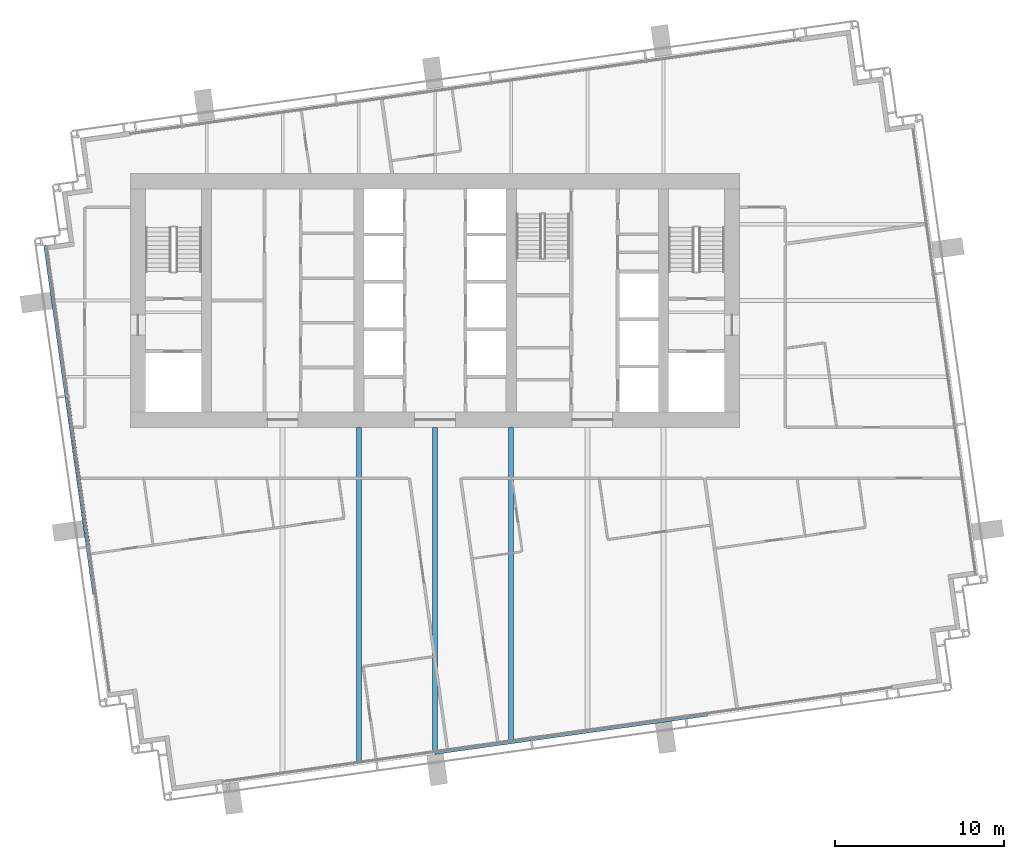
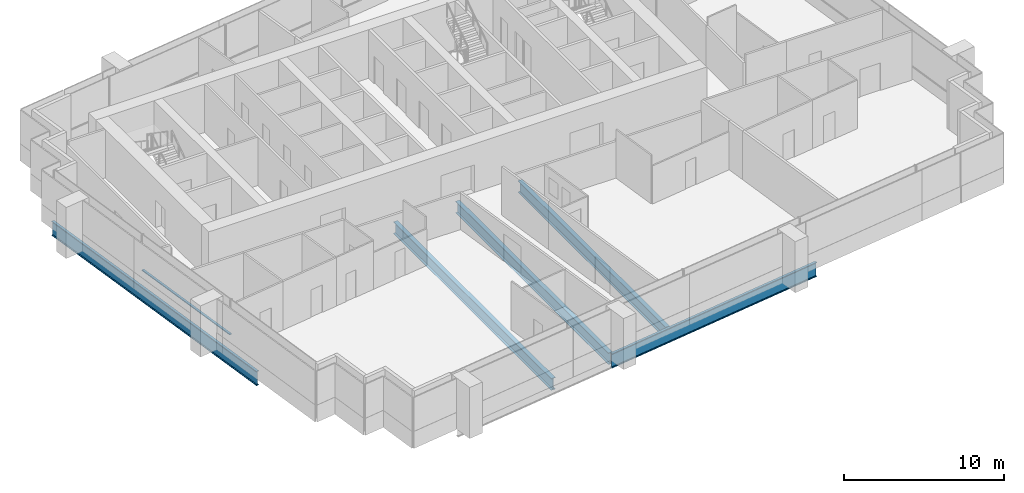
# One storey, part 3 of 18: 5 beams, 1 member, 1 element without a shape of its own.
"""IFC4 building model written with IfcOpenShell, lengths in metres."""

from ifc_helpers import new_model, si_unit, direction, frame, origin, origin_2d, place, context, subcontext, project, spatial, rectangle, i_section, extrude, material, layer, layer_set, material_profile, profile_set, type_object, element, aggregate, save


model = new_model("IFC4")

# Units and contexts
model_context = context("Model", 3, precision=1e-05, world=origin(), true_north=direction((0.0, 1.0)))
body_context = subcontext(model_context, "Body", "Model", "MODEL_VIEW")
ifc_project = project(units=[si_unit("LENGTHUNIT", "METRE"), si_unit("AREAUNIT", "SQUARE_METRE"), si_unit("VOLUMEUNIT", "CUBIC_METRE"), si_unit("PLANEANGLEUNIT", "RADIAN"), si_unit("MASSUNIT", "GRAM", prefix="KILO")], contexts=[model_context])

# Site, building, storey
site_placement = place(None, origin())
site = spatial("IfcSite", under=ifc_project, at=site_placement, CompositionType="ELEMENT")
building_placement = place(site_placement, origin())
building = spatial("IfcBuilding", under=site, at=building_placement, Name="Rattan Terrace Tower", CompositionType="ELEMENT")
storey_placement = place(building_placement, frame((0.0, 0.0, 233.0)))
storey = spatial("IfcBuildingStorey", under=building, at=storey_placement, Name="L53", CompositionType="ELEMENT", Elevation=233.0)

# Beams
ifc_material_1 = material(Name="Steel S460", Category="steel")
ifc_material_profile_1 = material_profile(ifc_material_1, i_section(OverallWidth=0.179931640625, OverallDepth=1.10009765625, WebThickness=0.01611328125, FlangeThickness=0.050048828125, at=origin_2d()), Name="PG 1100x180-16-50")
ifc_profile_set_1 = profile_set([ifc_material_profile_1], Name="Steel S460")
beam_type_1 = type_object("IfcBeamType", Name="Frame edge girder PG 1100x180-16-50", PredefinedType="SPANDREL", material=ifc_profile_set_1)
beam_1_placement = place(storey_placement, frame((16.0859375, -24.472900390625, -0.75), z_axis=(-0.990262693422, -0.139211342989, 0.0), x_axis=(0.139211342989, -0.990262693422, 0.0)))
element("IfcBeam", 1, at=beam_1_placement, inside=storey, type_object=beam_type_1, Name="gdr-L53-002", PredefinedType="SPANDREL", context=body_context, shape_type="SweptSolid", body=[
    extrude(i_section(OverallWidth=0.179931640625, OverallDepth=1.10009765625, WebThickness=0.01611328125, FlangeThickness=0.050048828125, at=origin_2d()), origin(), (0.0, 0.0, 1.0), 16.257080078125),
])
beam_2_placement = place(storey_placement, frame((-20.14111328125, -17.347900390625, -0.75), z_axis=(-0.139141602152, 0.9902724951, 0.0), x_axis=(-0.9902724951, -0.139141602152, 0.0)))
element("IfcBeam", 2, at=beam_2_placement, inside=storey, type_object=beam_type_1, Name="gdr-L53-003", PredefinedType="SPANDREL", context=body_context, shape_type="SweptSolid", body=[
    extrude(i_section(OverallWidth=0.179931640625, OverallDepth=1.10009765625, WebThickness=0.01611328125, FlangeThickness=0.050048828125, at=origin_2d()), origin(), (0.0, 0.0, 1.0), 20.813232421875),
])
ifc_material_2 = material(Name="Steel S355", Category="steel")
ifc_material_profile_2 = material_profile(ifc_material_2, i_section(OverallWidth=0.300048828125, OverallDepth=0.89990234375, WebThickness=0.0185546875, FlangeThickness=0.034912109375, FilletRadius=0.030029296875, at=origin_2d()), Name="HE 900 B")
ifc_profile_set_2 = profile_set([ifc_material_profile_2], Name="Steel S355")
beam_type_2 = type_object("IfcBeamType", Name="Frame floor beam HE 900 B", PredefinedType="JOIST", material=ifc_profile_set_2)
beam_3_placement = place(storey_placement, frame((4.5, -25.989990234375, -0.64990234375), z_axis=(0.0, 1.0, 0.0), x_axis=(-1.0, 0.0, 0.0)))
element("IfcBeam", 3, at=beam_3_placement, inside=storey, type_object=beam_type_2, Name="bm-L53-006", PredefinedType="JOIST", context=body_context, shape_type="SweptSolid", body=[
    extrude(i_section(OverallWidth=0.300048828125, OverallDepth=0.89990234375, WebThickness=0.0185546875, FlangeThickness=0.034912109375, FilletRadius=0.030029296875, at=origin_2d()), origin(), (0.0, 0.0, 1.0), 18.489990234375),
])
ifc_material_3 = material(Name="Steel S460", Category="steel")
ifc_material_profile_3 = material_profile(ifc_material_3, i_section(OverallWidth=0.300048828125, OverallDepth=0.89990234375, WebThickness=0.013916015625, FlangeThickness=0.035888671875, at=origin_2d()), Name="PG 900x300-14-36")
ifc_profile_set_3 = profile_set([ifc_material_profile_3], Name="Steel S460")
beam_type_3 = type_object("IfcBeamType", Name="Frame floor beam PG 900x300-14-36", PredefinedType="JOIST", material=ifc_profile_set_3)
beam_4_placement = place(storey_placement, frame((-4.5, -27.2548828125, -0.64990234375), z_axis=(0.0, 1.0, 0.0), x_axis=(-1.0, 0.0, 0.0)))
element("IfcBeam", 4, at=beam_4_placement, inside=storey, type_object=beam_type_3, Name="bm-L53-004", PredefinedType="JOIST", context=body_context, shape_type="SweptSolid", body=[
    extrude(i_section(OverallWidth=0.300048828125, OverallDepth=0.89990234375, WebThickness=0.013916015625, FlangeThickness=0.035888671875, at=origin_2d()), origin(), (0.0, 0.0, 1.0), 19.7548828125),
])
beam_5_placement = place(storey_placement, frame((0.0, -26.6220703125, -0.64990234375), z_axis=(0.0, 1.0, 0.0), x_axis=(-1.0, 0.0, 0.0)))
element("IfcBeam", 5, at=beam_5_placement, inside=storey, type_object=beam_type_3, Name="bm-L53-005", PredefinedType="JOIST", context=body_context, shape_type="SweptSolid", body=[
    extrude(i_section(OverallWidth=0.300048828125, OverallDepth=0.89990234375, WebThickness=0.013916015625, FlangeThickness=0.035888671875, at=origin_2d()), origin(), (0.0, 0.0, 1.0), 19.1220703125),
])

# Curtain wall, member
ifc_material_4 = material(Name="Aluminium and laminated glass", Category="aluminium")
ifc_layer = layer(ifc_material_4, 0.199951171875)
ifc_layer_set = layer_set([ifc_layer], Name="High-Zone Unitised Curtain Wall")
curtain_wall_type = type_object("IfcCurtainWallType", Name="High-Zone Unitised Curtain Wall", PredefinedType="NOTDEFINED", material=ifc_layer_set)
curtain_wall_placement = place(storey_placement, origin())
curtain_wall = element("IfcCurtainWall", 6, at=curtain_wall_placement, inside=storey, type_object=curtain_wall_type, Name="High-zone curtain wall L53-3", PredefinedType="NOTDEFINED")
ifc_material_5 = material(Name="Aluminium", Category="aluminium")
ifc_material_profile_4 = material_profile(ifc_material_5, rectangle(XDim=0.159912109375, YDim=0.070068359375, at=origin_2d()), Name="Aluminium 160x70")
ifc_profile_set_4 = profile_set([ifc_material_profile_4], Name="Aluminium")
member_type = type_object("IfcMemberType", Name="High-Zone CW Transom 160x70", PredefinedType="USERDEFINED", material=ifc_profile_set_4)
member_placement = place(storey_placement, frame((-21.7001953125, -5.67333984375, 1.0), z_axis=(0.139185713085, -0.990266296141, 0.0), x_axis=(0.990266296141, 0.139185713085, 0.0)))
member = element("IfcMember", 7, at=member_placement, type_object=member_type, Name="Transom cwl-L53-003.2", ObjectType="TRANSOM", PredefinedType="USERDEFINED", context=body_context, shape_type="SweptSolid", body=[
    extrude(rectangle(XDim=0.159912109375, YDim=0.070068359375, at=origin_2d()), origin(), (0.0, 0.0, 1.0), 8.929931640625),
])
aggregate(curtain_wall, [member])

save(model, "model.ifc")
